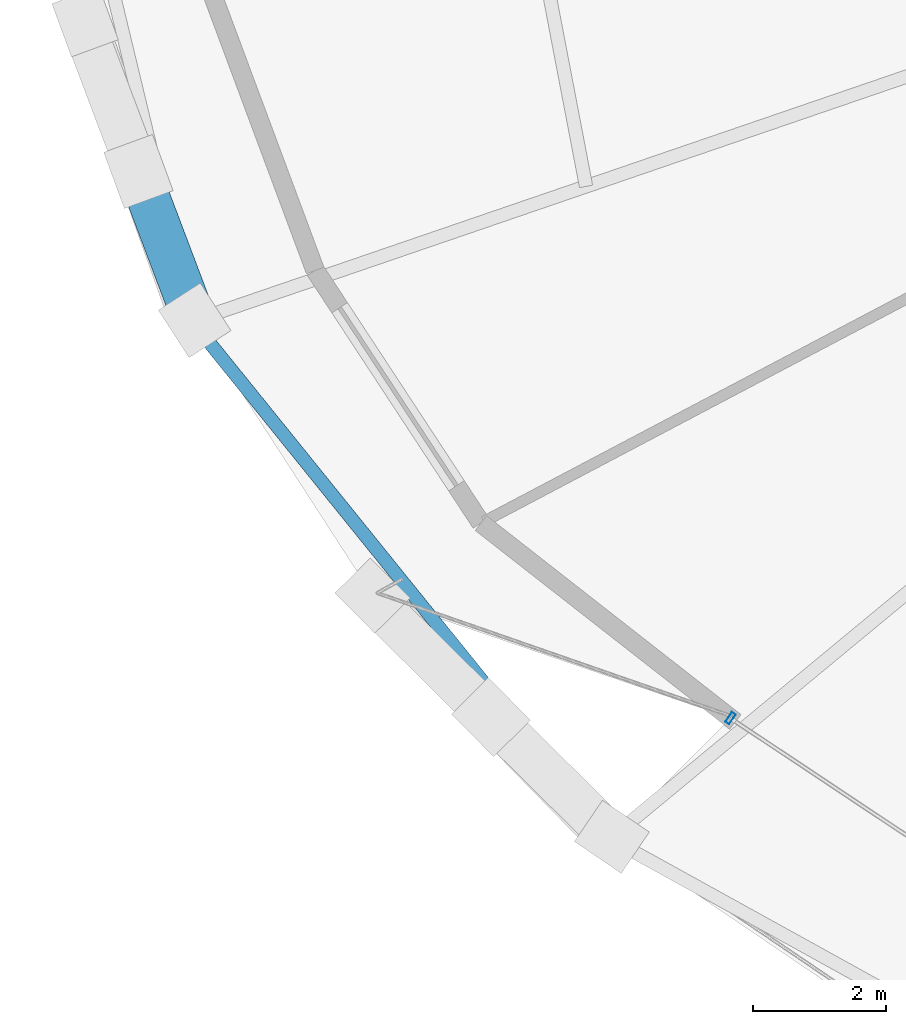
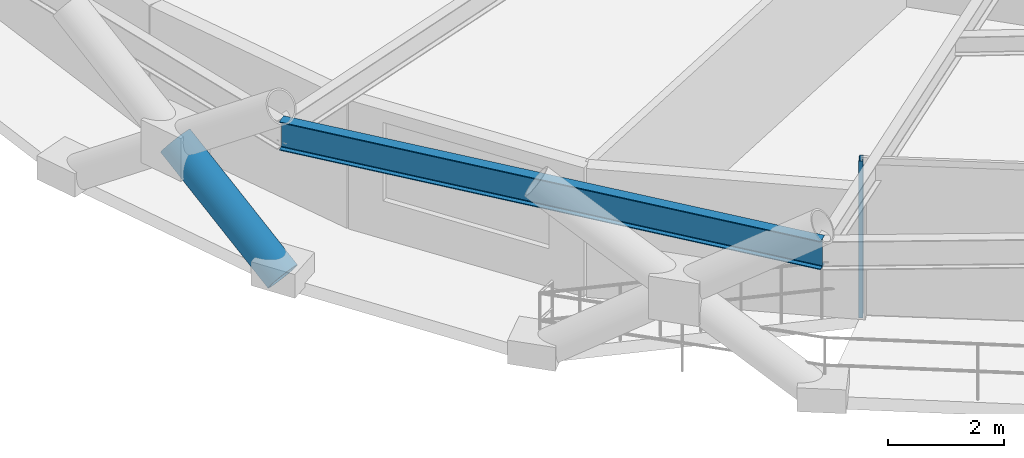
# One storey, part 2 of 19: 2 members, 1 beam, 1 element without a shape of its own.
"""IFC4 building model written with IfcOpenShell, lengths in metres."""

from ifc_helpers import new_model, si_unit, direction, frame, origin, origin_2d, place, context, subcontext, project, spatial, hollow_rectangle, hollow_circle, i_section, extrude, material, layer, layer_set, material_profile, profile_set, type_object, element, aggregate, save


model = new_model("IFC4")

# Units and contexts
model_context = context("Model", 3, precision=1e-05, world=origin(), true_north=direction((0.0, 1.0)))
body_context = subcontext(model_context, "Body", "Model", "MODEL_VIEW")
ifc_project = project(units=[si_unit("LENGTHUNIT", "METRE"), si_unit("AREAUNIT", "SQUARE_METRE"), si_unit("VOLUMEUNIT", "CUBIC_METRE"), si_unit("PLANEANGLEUNIT", "RADIAN"), si_unit("MASSUNIT", "GRAM", prefix="KILO")], contexts=[model_context])

# Site, building, storey
site_placement = place(None, origin())
site = spatial("IfcSite", under=ifc_project, at=site_placement, CompositionType="ELEMENT")
building_placement = place(site_placement, origin())
building = spatial("IfcBuilding", under=site, at=building_placement, Name="Veldorina Hangang Commons", CompositionType="ELEMENT")
storey_placement = place(building_placement, frame((0.0, 0.0, 70.0)))
storey = spatial("IfcBuildingStorey", under=building, at=storey_placement, Name="L17", CompositionType="ELEMENT", Elevation=70.0)

# Beam
ifc_material_1 = material(Name="Steel SM420-TMC", Category="steel")
ifc_material_profile_1 = material_profile(ifc_material_1, i_section(OverallWidth=0.199951171875, OverallDepth=0.60009765625, WebThickness=0.010986328125, FlangeThickness=0.01708984375, FilletRadius=0.01806640625, at=origin_2d()), Name="H-600x200x11x17")
ifc_profile_set_1 = profile_set([ifc_material_profile_1], Name="Steel SM420-TMC")
beam_type = type_object("IfcBeamType", Name="BM-RB600", PredefinedType="BEAM", material=ifc_profile_set_1)
beam_placement = place(storey_placement, frame((5.248779296875, 14.832763671875, 3.0400390625), z_axis=(0.628318334852, -0.77795634202, 0.0), x_axis=(0.77795634202, 0.628318334852, 0.0)))
element("IfcBeam", 1, at=beam_placement, inside=storey, type_object=beam_type, Name="L17 perimeter hoop ring beam 18", PredefinedType="BEAM", context=body_context, shape_type="SweptSolid", body=[
    extrude(i_section(OverallWidth=0.199951171875, OverallDepth=0.60009765625, WebThickness=0.010986328125, FlangeThickness=0.01708984375, FilletRadius=0.01806640625, at=origin_2d()), origin(), (0.0, 0.0, 1.0), 9.989990234375),
])

# Curtain wall, member
ifc_material_2 = material(Name="Glass Low-E Triple IGU", Category="glass")
ifc_layer = layer(ifc_material_2, 0.179931640625)
ifc_layer_set = layer_set([ifc_layer], Name="Glass Low-E Triple IGU")
curtain_wall_type = type_object("IfcCurtainWallType", Name="CW-SYS-Z1", PredefinedType="NOTDEFINED", material=ifc_layer_set)
curtain_wall_placement = place(storey_placement, origin())
curtain_wall = element("IfcCurtainWall", 2, at=curtain_wall_placement, inside=storey, type_object=curtain_wall_type, Name="L17 unitised curtain wall CW-L17-R1", PredefinedType="NOTDEFINED")
ifc_material_3 = material(Name="Aluminium Anodized AA6063-T6", Category="aluminium")
ifc_material_profile_2 = material_profile(ifc_material_3, hollow_rectangle(XDim=0.070068359375, YDim=0.179931640625, WallThickness=0.00390625, at=origin_2d()), Name="ALU-RHS-180x70x4")
ifc_profile_set_2 = profile_set([ifc_material_profile_2], Name="Aluminium Anodized AA6063-T6")
member_type_1 = type_object("IfcMemberType", Name="CW-MUL-180", PredefinedType="MULLION", material=ifc_profile_set_2)
member_1_placement = place(storey_placement, frame((13.33544921875, 8.870849609375, 0.0), z_axis=(0.0, 0.0, 1.0), x_axis=(0.832592704922, -0.553885717193, 0.0)))
member_1 = element("IfcMember", 3, at=member_1_placement, type_object=member_type_1, Name="CW-L17-R1 vertical mullion 1", PredefinedType="MULLION", context=body_context, shape_type="SweptSolid", body=[
    extrude(hollow_rectangle(XDim=0.070068359375, YDim=0.179931640625, WallThickness=0.00390625, at=origin_2d()), origin(), (0.0, 0.0, 1.0), 3.300048828125),
])
aggregate(curtain_wall, [member_1])

# Member
ifc_material_4 = material(Name="Steel SM460-TMC", Category="steel")
ifc_material_profile_3 = material_profile(ifc_material_4, hollow_circle(Radius=0.324951171875, WallThickness=0.031982421875, at=origin_2d()), Name="CHS-650x32")
ifc_profile_set_3 = profile_set([ifc_material_profile_3], Name="Steel SM460-TMC")
member_type_2 = type_object("IfcMemberType", Name="DG-CHS650", PredefinedType="BRACE", material=ifc_profile_set_3)
member_2_placement = place(storey_placement, frame((5.285400390625, 14.847900390625, 0.0), z_axis=(-0.282530827503, 0.747539682243, 0.601132892947), x_axis=(-0.935419566982, -0.3535395787, 0.0)))
element("IfcMember", 4, at=member_2_placement, inside=storey, type_object=member_type_2, Name="L17 split perimeter diagrid lower brace 18", PredefinedType="BRACE", context=body_context, shape_type="SweptSolid", body=[
    extrude(hollow_circle(Radius=0.324951171875, WallThickness=0.031982421875, at=origin_2d()), origin(), (0.0, 0.0, 1.0), 2.99169921875),
])

save(model, "model.ifc")
